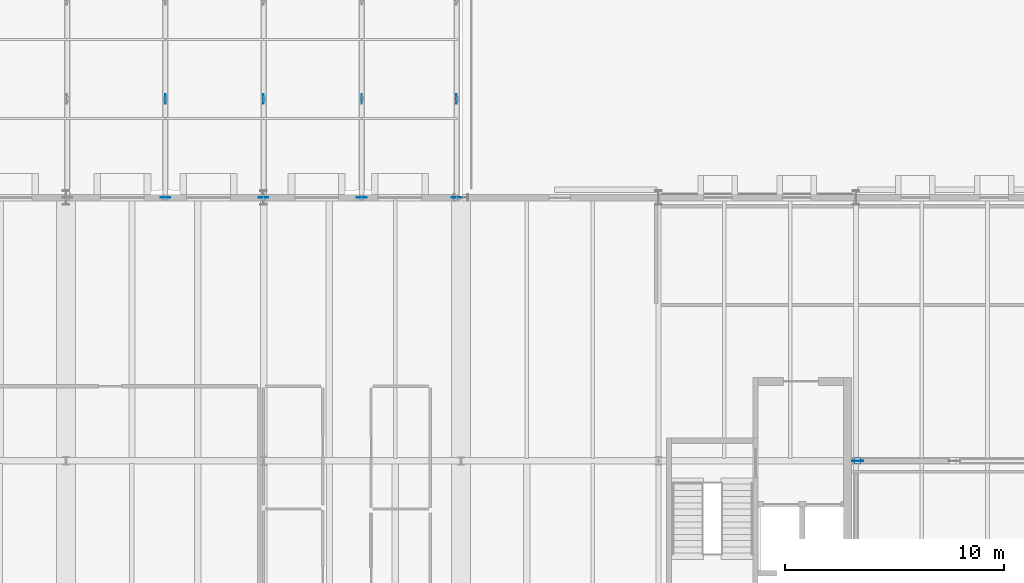
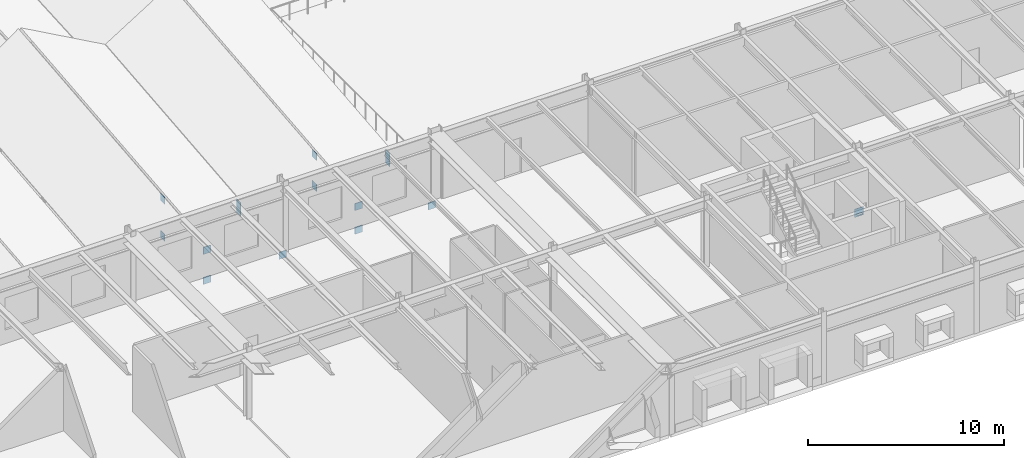
# One storey, part 112 of 142: 16 plates.
"""IFC4 building model written with IfcOpenShell, lengths in metres."""

from ifc_helpers import new_model, si_unit, direction, frame, origin, origin_2d, place, context, subcontext, project, spatial, rectangle, extrude, material, layer, layer_set, type_object, element, save


model = new_model("IFC4")

# Units and contexts
model_context = context("Model", 3, precision=1e-05, world=origin(), true_north=direction((0.0, 1.0)))
body_context = subcontext(model_context, "Body", "Model", "MODEL_VIEW")
ifc_project = project(units=[si_unit("LENGTHUNIT", "METRE"), si_unit("AREAUNIT", "SQUARE_METRE"), si_unit("VOLUMEUNIT", "CUBIC_METRE"), si_unit("PLANEANGLEUNIT", "RADIAN"), si_unit("MASSUNIT", "GRAM", prefix="KILO")], contexts=[model_context])

# Site, building, storey
site_placement = place(None, origin())
site = spatial("IfcSite", under=ifc_project, at=site_placement, CompositionType="ELEMENT")
building_placement = place(site_placement, origin())
building = spatial("IfcBuilding", under=site, at=building_placement, Name="Montelvaro Courts of Justice", CompositionType="ELEMENT")
storey_placement = place(building_placement, frame((0.0, 0.0, 14.39990234375)))
storey = spatial("IfcBuildingStorey", under=building, at=storey_placement, Name="L03", CompositionType="ELEMENT", Elevation=14.39990234375)

# Plates
ifc_material = material(Name="Steel S355", Category="steel")
ifc_layer_1 = layer(ifc_material, 0.011962890625)
ifc_layer_set_1 = layer_set([ifc_layer_1], Name="Steel S355")
plate_type_1 = type_object("IfcPlateType", Name="EndCapPlate_12", PredefinedType="USERDEFINED", material=ifc_layer_set_1)
plate_1_placement = place(storey_placement, frame((117.080078125, 12.0, 0.07421875), z_axis=(0.0, 0.0, 1.0), x_axis=(1.0, 0.0, 0.0)))
element("IfcPlate", 1, at=plate_1_placement, inside=storey, type_object=plate_type_1, Name="Brace End Cap Plate CP-01 CBF2-L03-1A", ObjectType="GUSSET PLATE", PredefinedType="USERDEFINED", context=body_context, shape_type="SweptSolid", body=[
    extrude(rectangle(XDim=0.300048828125, YDim=0.300048828125, at=origin_2d()), origin(), (0.0, 0.0, 1.0), 0.011962890625),
])
ifc_layer_2 = layer(ifc_material, 0.035888671875)
ifc_layer_set_2 = layer_set([ifc_layer_2], Name="Steel S355")
plate_type_2 = type_object("IfcPlateType", Name="EndCapPlate_36", PredefinedType="USERDEFINED", material=ifc_layer_set_2)
for number, where, z_axis, x_axis, name in (
    (2, (90.0, 24.0, -0.519775390625), (0.0, 0.0, 1.0), (1.0, 0.0, 0.0), "Roof Truss End Cap Plate CP-02 ROOF-PASSAGE-S-VTR03-B0"),
    (3, (98.800048828125, 24.0, -0.519775390625), (0.0, 0.0, 1.0), (1.0, 0.0, 0.0), "Roof Truss End Cap Plate CP-02 ROOF-PASSAGE-S-VTR04-B0"),
    (4, (85.52490234375, 24.0, -0.519775390625), (0.0, 0.0, 1.0), (1.0, 0.0, 0.0), "Roof Truss End Cap Plate CP-02 ROOF-PASSAGE-S-RTR02-B0"),
    (5, (85.52490234375, 24.0, 1.360107421875), (0.0, 0.0, 1.0), (1.0, 0.0, 0.0), "Roof Truss End Cap Plate CP-02 ROOF-PASSAGE-S-RTR02-T0"),
    (6, (94.47509765625, 24.0, -0.519775390625), (0.0, 0.0, 1.0), (1.0, 0.0, 0.0), "Roof Truss End Cap Plate CP-02 ROOF-PASSAGE-S-RTR03-B0"),
    (7, (94.47509765625, 24.0, 0.960205078125), (0.0, 0.0, 1.0), (1.0, 0.0, 0.0), "Roof Truss End Cap Plate CP-02 ROOF-PASSAGE-S-RTR03-T0"),
):
    element("IfcPlate", number, at=place(storey_placement, frame(where, z_axis=z_axis, x_axis=x_axis)), inside=storey, type_object=plate_type_2, Name=name, ObjectType="GUSSET PLATE", PredefinedType="USERDEFINED", context=body_context, shape_type="SweptSolid", body=[
        extrude(rectangle(XDim=0.43994140625, YDim=0.035888671875, at=origin_2d()), origin(), (0.0, 0.0, 1.0), 0.43994140625),
    ])
ifc_layer_3 = layer(ifc_material, 0.02001953125)
ifc_layer_set_3 = layer_set([ifc_layer_3], Name="Steel S355")
plate_type_3 = type_object("IfcPlateType", Name="GussetPlate_20", PredefinedType="USERDEFINED", material=ifc_layer_set_3)
plate_2_placement = place(storey_placement, frame((117.080078125, 12.0, -0.099853515625), z_axis=(0.0, 0.0, 1.0), x_axis=(1.0, 0.0, 0.0)))
element("IfcPlate", 8, at=plate_2_placement, inside=storey, type_object=plate_type_3, Name="Chevron Brace Base Gusset Plate GP-01 CBF2-L03-B1", ObjectType="GUSSET PLATE", PredefinedType="USERDEFINED", context=body_context, shape_type="SweptSolid", body=[
    extrude(rectangle(XDim=0.52001953125, YDim=0.02001953125, at=origin_2d()), origin(), (0.0, 0.0, 1.0), 0.52001953125),
])
for number, where, z_axis, x_axis, name in (
    (9, (90.0, 28.5, -0.519775390625), (0.0, 0.0, 1.0), (1.0, 0.0, 0.0), "Roof Truss Gusset Plate GP-01 ROOF-PASSAGE-S-VTR03-1B"),
    (10, (90.0, 28.5, -0.08984375), (0.0, 0.0, 1.0), (1.0, 0.0, 0.0), "Roof Truss Gusset Plate GP-01 ROOF-PASSAGE-S-VTR03-1T"),
    (11, (98.800048828125, 28.5, -0.519775390625), (0.0, 0.0, 1.0), (1.0, 0.0, 0.0), "Roof Truss Gusset Plate GP-01 ROOF-PASSAGE-S-VTR04-1B"),
    (12, (98.800048828125, 28.5, -0.08984375), (0.0, 0.0, 1.0), (1.0, 0.0, 0.0), "Roof Truss Gusset Plate GP-01 ROOF-PASSAGE-S-VTR04-1T"),
    (13, (85.52490234375, 28.5, -0.519775390625), (0.0, 0.0, 1.0), (1.0, 0.0, 0.0), "Roof Truss Gusset Plate GP-01 ROOF-PASSAGE-S-RTR02-1B"),
    (14, (85.52490234375, 28.5, 1.81005859375), (0.0, 0.0, 1.0), (1.0, 0.0, 0.0), "Roof Truss Gusset Plate GP-01 ROOF-PASSAGE-S-RTR02-1T"),
    (15, (94.47509765625, 28.5, -0.519775390625), (0.0, 0.0, 1.0), (1.0, 0.0, 0.0), "Roof Truss Gusset Plate GP-01 ROOF-PASSAGE-S-RTR03-1B"),
    (16, (94.47509765625, 28.5, 1.41015625), (0.0, 0.0, 1.0), (1.0, 0.0, 0.0), "Roof Truss Gusset Plate GP-01 ROOF-PASSAGE-S-RTR03-1T"),
):
    element("IfcPlate", number, at=place(storey_placement, frame(where, z_axis=z_axis, x_axis=x_axis)), inside=storey, type_object=plate_type_3, Name=name, ObjectType="GUSSET PLATE", PredefinedType="USERDEFINED", context=body_context, shape_type="SweptSolid", body=[
        extrude(rectangle(XDim=0.02001953125, YDim=0.43994140625, at=origin_2d()), origin(), (0.0, 0.0, 1.0), 0.43994140625),
    ])

save(model, "model.ifc")
